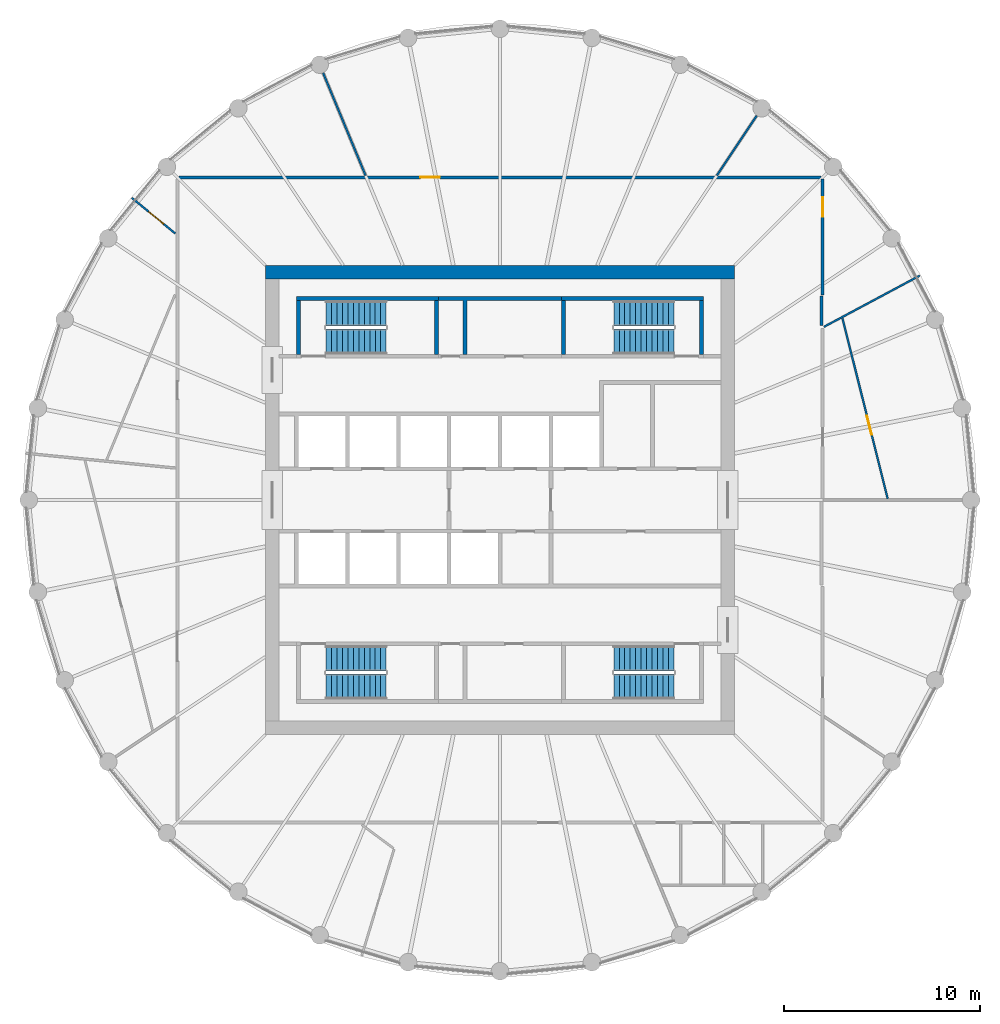
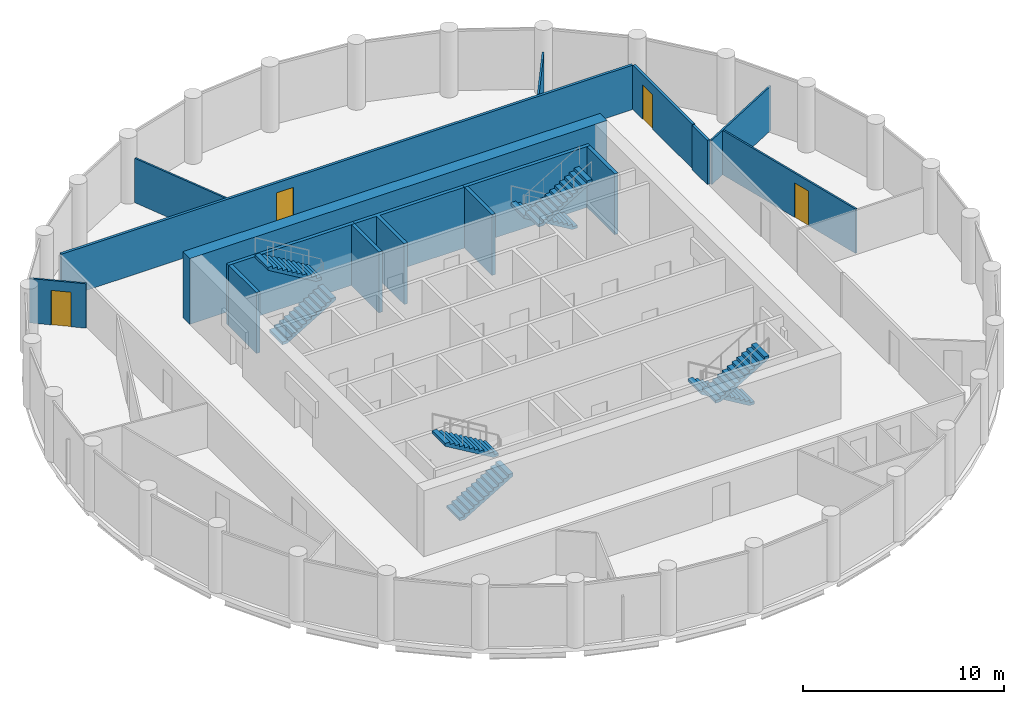
# One storey, part 6 of 7: 16 walls, 8 stair flights, 4 doors, 4 openings, 4 elements without a shape of their own.
"""IFC4 building model written with IfcOpenShell, lengths in metres."""

from ifc_helpers import new_model, si_unit, direction, frame, frame_2d, origin, place, context, subcontext, project, spatial, polyline, rectangle, outline, extrude, material, layer, layer_set, type_object, element, fill, aggregate, save


model = new_model("IFC4")

# Units and contexts
model_context = context("Model", 3, precision=1e-05, world=origin(), true_north=direction((0.0, 1.0)))
body_context = subcontext(model_context, "Body", "Model", "MODEL_VIEW")
ifc_project = project(units=[si_unit("LENGTHUNIT", "METRE"), si_unit("AREAUNIT", "SQUARE_METRE"), si_unit("VOLUMEUNIT", "CUBIC_METRE"), si_unit("PLANEANGLEUNIT", "RADIAN"), si_unit("MASSUNIT", "GRAM", prefix="KILO")], contexts=[model_context])

# Site, building, storey
site_placement = place(None, origin())
site = spatial("IfcSite", under=ifc_project, at=site_placement, CompositionType="ELEMENT")
building_placement = place(site_placement, origin())
building = spatial("IfcBuilding", under=site, at=building_placement, Name="Corvane Civic Tower", CompositionType="ELEMENT")
storey_placement = place(building_placement, frame((0.0, 0.0, 271.0)))
storey = spatial("IfcBuildingStorey", under=building, at=storey_placement, Name="L64", CompositionType="ELEMENT", Elevation=271.0)

# Walls
ifc_material_1 = material(Name="Concrete C40/50", Category="concrete")
ifc_layer_1 = layer(ifc_material_1, 0.699951171875)
ifc_layer_set_1 = layer_set([ifc_layer_1], Name="Concrete C40/50")
wall_type_1 = type_object("IfcWallType", Name="CORE WALL 700 C40/50", PredefinedType="SHEAR", material=ifc_layer_set_1)
wall_1_placement = place(storey_placement, frame((-12.0, 11.64990234375, 0.0), z_axis=(0.0, 0.0, 1.0), x_axis=(1.0, 0.0, 0.0)))
element("IfcWall", 1, at=wall_1_placement, inside=storey, type_object=wall_type_1, Name="W-L64-core-N", PredefinedType="SHEAR", context=body_context, shape_type="SweptSolid", body=[
    extrude(rectangle(XDim=24.0, YDim=0.699951171875, at=frame_2d((12.0, 0.0))), origin(), (0.0, 0.0, 1.0), 4.0),
])
ifc_material_2 = material(Name="Concrete C30/37", Category="concrete")
ifc_layer_2 = layer(ifc_material_2, 0.199951171875)
ifc_layer_set_2 = layer_set([ifc_layer_2], Name="Concrete C30/37")
wall_type_2 = type_object("IfcWallType", Name="CR-WALL-200", PredefinedType="PARTITIONING", material=ifc_layer_set_2)
wall_2_placement = place(storey_placement, origin())
element("IfcWall", 2, at=wall_2_placement, inside=storey, type_object=wall_type_2, Name="L64 core partition wall", PredefinedType="PARTITIONING", context=body_context, shape_type="SweptSolid", body=[
    extrude(outline(polyline([(3.14990234375, 10.39990234375), (3.14990234375, 10.199951171875), (-1.699951171875, 10.199951171875), (-1.699951171875, 7.449951171875), (-1.89990234375, 7.449951171875), (-1.89990234375, 10.199951171875), (-3.14990234375, 10.199951171875), (-3.14990234375, 10.39990234375), (3.14990234375, 10.39990234375)])), origin(), (0.0, 0.0, 1.0), 3.699951171875),
])

# Wall, opening, door
ifc_material_3 = material(Name="Plasterboard")
ifc_layer_3 = layer(ifc_material_3, 0.10009765625)
ifc_layer_set_3 = layer_set([ifc_layer_3], Name="Plasterboard")
wall_type_3 = type_object("IfcWallType", Name="Partition 100 plasterboard on studs", PredefinedType="PARTITIONING", material=ifc_layer_set_3)
wall_3_placement = place(storey_placement, frame((17.51708984375, 9.29248046875, 0.0), z_axis=(0.0, 0.0, 1.0), x_axis=(0.242970257717, -0.970033738519, 0.0)))
wall_3 = element("IfcWall", 3, at=wall_3_placement, inside=storey, type_object=wall_type_3, Name="Partition L64.016", PredefinedType="PARTITIONING", context=body_context, shape_type="SweptSolid", body=[
    extrude(rectangle(XDim=9.515625, YDim=0.10009765625, at=frame_2d((4.7578125, 0.0))), origin(), (0.0, 0.0, 1.0), 2.699951171875),
])
opening_1_placement = place(wall_3_placement, frame((5.142578125, 0.0, 0.0)))
opening_1 = element("IfcOpeningElement", 4, at=opening_1_placement, cuts=wall_3, Name="Opening L64.008", PredefinedType="OPENING", context=body_context, shape_type="SweptSolid", body=[
    extrude(rectangle(XDim=1.0, YDim=2.10009765625, at=frame_2d((0.5, 1.050048828125))), frame((0.0, 0.06005859375, 0.0), z_axis=(0.0, -1.0, 0.0), x_axis=(1.0, 0.0, 0.0)), (0.0, 0.0, 1.0), 0.1201171875),
])
ifc_material_4 = material(Name="Timber", Category="wood")
door_type_1 = type_object("IfcDoorType", Name="Single door 1000", OperationType="NOTDEFINED", PredefinedType="DOOR", material=ifc_material_4)
door_1_placement = place(opening_1_placement, origin())
door_1 = element("IfcDoor", 5, at=door_1_placement, inside=storey, type_object=door_type_1, Name="Door L64.008", OperationType="SINGLE_SWING_LEFT", OverallHeight=2.10009765625, OverallWidth=1.0, PredefinedType="DOOR", context=body_context, shape_type="SweptSolid", body=[
    extrude(rectangle(XDim=1.0, YDim=2.10009765625, at=frame_2d((0.5, 1.050048828125))), frame((0.0, 0.02490234375, 0.0), z_axis=(0.0, -1.0, 0.0), x_axis=(1.0, 0.0, 0.0)), (0.0, 0.0, 1.0), 0.050048828125),
])
fill(opening_1, door_1)

# Wall
wall_4_placement = place(storey_placement, frame((16.563720703125, 8.853515625, 0.0), z_axis=(0.0, 0.0, 1.0), x_axis=(0.88193512519, 0.471370804098, 0.0)))
element("IfcWall", 6, at=wall_4_placement, inside=storey, type_object=wall_type_3, Name="Partition L64.020", PredefinedType="PARTITIONING", context=body_context, shape_type="SweptSolid", body=[
    extrude(rectangle(XDim=5.56884765625, YDim=0.10009765625, at=frame_2d((2.784423828125, 0.0))), origin(), (0.0, 0.0, 1.0), 2.699951171875),
])

# Wall, opening, door
wall_5_placement = place(storey_placement, frame((-18.822998046875, 15.447509765625, 0.0), z_axis=(0.0, 0.0, 1.0), x_axis=(0.773057309147, -0.634336185926, 0.0)))
wall_5 = element("IfcWall", 7, at=wall_5_placement, inside=storey, type_object=wall_type_3, Name="Partition L64.023", PredefinedType="PARTITIONING", context=body_context, shape_type="SweptSolid", body=[
    extrude(rectangle(XDim=2.866943359375, YDim=0.10009765625, at=frame_2d((1.43359375, 0.0))), origin(), (0.0, 0.0, 1.0), 2.699951171875),
])
opening_2_placement = place(wall_5_placement, frame((1.102783203125, 0.0, 0.0)))
opening_2 = element("IfcOpeningElement", 8, at=opening_2_placement, cuts=wall_5, Name="Opening L64.004", PredefinedType="OPENING", context=body_context, shape_type="SweptSolid", body=[
    extrude(rectangle(XDim=1.0, YDim=2.10009765625, at=frame_2d((0.5, 1.050048828125))), frame((0.0, 0.06005859375, 0.0), z_axis=(0.0, -1.0, 0.0), x_axis=(1.0, 0.0, 0.0)), (0.0, 0.0, 1.0), 0.1201171875),
])
door_2_placement = place(opening_2_placement, origin())
door_2 = element("IfcDoor", 9, at=door_2_placement, inside=storey, type_object=door_type_1, Name="Door L64.004", OperationType="SINGLE_SWING_LEFT", OverallHeight=2.10009765625, OverallWidth=1.0, PredefinedType="DOOR", context=body_context, shape_type="SweptSolid", body=[
    extrude(rectangle(XDim=1.0, YDim=2.10009765625, at=frame_2d((0.5, 1.050048828125))), frame((0.0, 0.02490234375, 0.0), z_axis=(0.0, -1.0, 0.0), x_axis=(1.0, 0.0, 0.0)), (0.0, 0.0, 1.0), 0.050048828125),
])
fill(opening_2, door_2)

# Walls
wall_6_placement = place(storey_placement, frame((-9.046630859375, 21.84033203125, 0.0), z_axis=(0.0, 0.0, 1.0), x_axis=(0.382682139097, -0.9238800682, 0.0)))
element("IfcWall", 10, at=wall_6_placement, inside=storey, type_object=wall_type_3, Name="Partition L64.025", PredefinedType="PARTITIONING", context=body_context, shape_type="SweptSolid", body=[
    extrude(rectangle(XDim=5.6787109375, YDim=0.10009765625, at=frame_2d((2.83935546875, 0.0))), origin(), (0.0, 0.0, 1.0), 2.699951171875),
])
wall_7_placement = place(storey_placement, frame((11.093505859375, 16.602783203125, 0.0), z_axis=(0.0, 0.0, 1.0), x_axis=(0.555559107402, 0.831477046095, 0.0)))
element("IfcWall", 11, at=wall_7_placement, inside=storey, type_object=wall_type_3, Name="Partition L64.026", PredefinedType="PARTITIONING", context=body_context, shape_type="SweptSolid", body=[
    extrude(rectangle(XDim=3.672119140625, YDim=0.10009765625, at=frame_2d((1.8359375, 0.0))), origin(), (0.0, 0.0, 1.0), 2.699951171875),
])
ifc_material_5 = material(Name="Concrete C50/60", Category="concrete")
ifc_layer_4 = layer(ifc_material_5, 0.199951171875)
ifc_layer_set_4 = layer_set([ifc_layer_4], Name="Concrete C50/60")
wall_type_4 = type_object("IfcWallType", Name="ST-WALL-200", PredefinedType="SHEAR", material=ifc_layer_set_4)
wall_8_placement = place(storey_placement, origin())
element("IfcWall", 12, at=wall_8_placement, inside=storey, type_object=wall_type_4, Name="L64 stair enclosure wall", PredefinedType="SHEAR", context=body_context, shape_type="SweptSolid", body=[
    extrude(outline(polyline([(-3.14990234375, 10.199951171875), (-10.39990234375, 10.199951171875), (-10.39990234375, 10.39990234375), (-3.14990234375, 10.39990234375), (-3.14990234375, 10.199951171875)])), origin(), (0.0, 0.0, 1.0), 3.699951171875),
])
wall_9_placement = place(storey_placement, origin())
element("IfcWall", 13, at=wall_9_placement, inside=storey, type_object=wall_type_4, Name="L64 stair enclosure wall", PredefinedType="SHEAR", context=body_context, shape_type="SweptSolid", body=[
    extrude(outline(polyline([(10.39990234375, 10.199951171875), (3.14990234375, 10.199951171875), (3.14990234375, 10.39990234375), (10.39990234375, 10.39990234375), (10.39990234375, 10.199951171875)])), origin(), (0.0, 0.0, 1.0), 3.699951171875),
])
wall_10_placement = place(storey_placement, origin())
element("IfcWall", 14, at=wall_10_placement, inside=storey, type_object=wall_type_4, Name="L64 stair enclosure wall", PredefinedType="SHEAR", context=body_context, shape_type="SweptSolid", body=[
    extrude(outline(polyline([(-3.14990234375, 7.449951171875), (-3.35009765625, 7.449951171875), (-3.35009765625, 10.199951171875), (-3.14990234375, 10.199951171875), (-3.14990234375, 7.449951171875)])), origin(), (0.0, 0.0, 1.0), 3.699951171875),
])
wall_11_placement = place(storey_placement, origin())
element("IfcWall", 15, at=wall_11_placement, inside=storey, type_object=wall_type_4, Name="L64 stair enclosure wall", PredefinedType="SHEAR", context=body_context, shape_type="SweptSolid", body=[
    extrude(outline(polyline([(3.35009765625, 7.449951171875), (3.14990234375, 7.449951171875), (3.14990234375, 10.199951171875), (3.35009765625, 10.199951171875), (3.35009765625, 7.449951171875)])), origin(), (0.0, 0.0, 1.0), 3.699951171875),
])
wall_12_placement = place(storey_placement, origin())
element("IfcWall", 16, at=wall_12_placement, inside=storey, type_object=wall_type_4, Name="L64 stair enclosure wall", PredefinedType="SHEAR", context=body_context, shape_type="SweptSolid", body=[
    extrude(outline(polyline([(-10.199951171875, 7.449951171875), (-10.39990234375, 7.449951171875), (-10.39990234375, 10.199951171875), (-10.199951171875, 10.199951171875), (-10.199951171875, 7.449951171875)])), origin(), (0.0, 0.0, 1.0), 3.699951171875),
])
wall_13_placement = place(storey_placement, origin())
element("IfcWall", 17, at=wall_13_placement, inside=storey, type_object=wall_type_4, Name="L64 stair enclosure wall", PredefinedType="SHEAR", context=body_context, shape_type="SweptSolid", body=[
    extrude(outline(polyline([(10.39990234375, 7.449951171875), (10.199951171875, 7.449951171875), (10.199951171875, 10.199951171875), (10.39990234375, 10.199951171875), (10.39990234375, 7.449951171875)])), origin(), (0.0, 0.0, 1.0), 3.699951171875),
])
ifc_material_6 = material(Name="Plasterboard")
ifc_layer_5 = layer(ifc_material_6, 0.14990234375)
ifc_layer_set_5 = layer_set([ifc_layer_5], Name="Plasterboard")
wall_type_5 = type_object("IfcWallType", Name="Tenancy wall 150 EI 60", PredefinedType="PARTITIONING", material=ifc_layer_set_5)
wall_14_placement = place(storey_placement, frame((16.449951171875, 8.917724609375, 0.0), z_axis=(0.0, 0.0, 1.0), x_axis=(0.0, 1.0, 0.0)))
element("IfcWall", 18, at=wall_14_placement, inside=storey, type_object=wall_type_5, Name="Partition L64.021", PredefinedType="PARTITIONING", context=body_context, shape_type="SweptSolid", body=[
    extrude(rectangle(XDim=1.51220703125, YDim=0.14990234375, at=frame_2d((0.756103515625, 0.0))), origin(), (0.0, 0.0, 1.0), 2.699951171875),
])

# Wall, opening, door
wall_15_placement = place(storey_placement, frame((16.5, 10.47998046875, 0.0), z_axis=(0.0, 0.0, 1.0), x_axis=(0.0, 1.0, 0.0)))
wall_15 = element("IfcWall", 19, at=wall_15_placement, inside=storey, type_object=wall_type_5, Name="Partition L64.022", PredefinedType="PARTITIONING", context=body_context, shape_type="SweptSolid", body=[
    extrude(rectangle(XDim=5.945068359375, YDim=0.14990234375, at=frame_2d((2.97265625, 0.0))), origin(), (0.0, 0.0, 1.0), 2.699951171875),
])
opening_3_placement = place(wall_15_placement, frame((3.9951171875, 0.0, 0.0)))
opening_3 = element("IfcOpeningElement", 20, at=opening_3_placement, cuts=wall_15, Name="Opening L64.007", PredefinedType="OPENING", context=body_context, shape_type="SweptSolid", body=[
    extrude(rectangle(XDim=1.0, YDim=2.10009765625, at=frame_2d((0.5, 1.050048828125))), frame((0.0, 0.0849609375, 0.0), z_axis=(0.0, -1.0, 0.0), x_axis=(1.0, 0.0, 0.0)), (0.0, 0.0, 1.0), 0.169921875),
])
ifc_material_7 = material(Name="Steel and timber", Category="steel")
door_type_2 = type_object("IfcDoorType", Name="Fire door FD30S 1000", OperationType="NOTDEFINED", PredefinedType="DOOR", material=ifc_material_7)
door_3_placement = place(opening_3_placement, frame((1.0, 0.0, 0.0), z_axis=(0.0, 0.0, 1.0), x_axis=(-1.0, 0.0, 0.0)))
door_3 = element("IfcDoor", 21, at=door_3_placement, inside=storey, type_object=door_type_2, Name="Door L64.007", OperationType="SINGLE_SWING_LEFT", OverallHeight=2.10009765625, OverallWidth=1.0, PredefinedType="DOOR", context=body_context, shape_type="SweptSolid", body=[
    extrude(rectangle(XDim=1.0, YDim=2.10009765625, at=frame_2d((0.5, 1.050048828125))), frame((0.0, 0.02490234375, 0.0), z_axis=(0.0, -1.0, 0.0), x_axis=(1.0, 0.0, 0.0)), (0.0, 0.0, 1.0), 0.050048828125),
])
fill(opening_3, door_3)

wall_16_placement = place(storey_placement, frame((-16.425048828125, 16.5, 0.0), z_axis=(0.0, 0.0, 1.0), x_axis=(1.0, 0.0, 0.0)))
wall_16 = element("IfcWall", 22, at=wall_16_placement, inside=storey, type_object=wall_type_5, Name="Partition L64.024", PredefinedType="PARTITIONING", context=body_context, shape_type="SweptSolid", body=[
    extrude(rectangle(XDim=32.85009765625, YDim=0.14990234375, at=frame_2d((16.425048828125, 0.0))), origin(), (0.0, 0.0, 1.0), 2.699951171875),
])
opening_4_placement = place(wall_16_placement, frame((12.3544921875, 0.0, 0.0)))
opening_4 = element("IfcOpeningElement", 23, at=opening_4_placement, cuts=wall_16, Name="Opening L64.006", PredefinedType="OPENING", context=body_context, shape_type="SweptSolid", body=[
    extrude(rectangle(XDim=1.0, YDim=2.10009765625, at=frame_2d((0.5, 1.050048828125))), frame((0.0, 0.0849609375, 0.0), z_axis=(0.0, -1.0, 0.0), x_axis=(1.0, 0.0, 0.0)), (0.0, 0.0, 1.0), 0.169921875),
])
door_4_placement = place(opening_4_placement, origin())
door_4 = element("IfcDoor", 24, at=door_4_placement, inside=storey, type_object=door_type_2, Name="Door L64.006", OperationType="SINGLE_SWING_RIGHT", OverallHeight=2.10009765625, OverallWidth=1.0, PredefinedType="DOOR", context=body_context, shape_type="SweptSolid", body=[
    extrude(rectangle(XDim=1.0, YDim=2.10009765625, at=frame_2d((0.5, 1.050048828125))), frame((0.0, 0.02490234375, 0.0), z_axis=(0.0, -1.0, 0.0), x_axis=(1.0, 0.0, 0.0)), (0.0, 0.0, 1.0), 0.050048828125),
])
fill(opening_4, door_4)

# Stair, stair flights
ifc_material_8 = material(Name="Concrete C40/50", Category="concrete")
stair_type = type_object("IfcStairType", Name="ST-STAIR-HALFTURN", PredefinedType="HALF_TURN_STAIR", material=ifc_material_8)
stair_1_placement = place(storey_placement, origin())
stair_1 = element("IfcStair", 25, at=stair_1_placement, inside=storey, type_object=stair_type, Name="L64 Exit stair ST1", PredefinedType="HALF_TURN_STAIR")
ifc_material_9 = material(Name="Concrete C40/50", Category="concrete")
stair_flight_type = type_object("IfcStairFlightType", Name="ST-FLIGHT-RC", PredefinedType="STRAIGHT", material=ifc_material_9)
stair_flight_1_placement = place(storey_placement, frame((8.89990234375, 9.550048828125, 0.0), z_axis=(0.0, 0.0, 1.0), x_axis=(-1.0, 0.0, 0.0)))
stair_flight_1 = element("IfcStairFlight", 26, at=stair_flight_1_placement, type_object=stair_flight_type, Name="ST1 flight 1", NumberOfRisers=12, NumberOfTreads=11, PredefinedType="STRAIGHT", RiserHeight=0.166666667, TreadLength=0.28, context=body_context, shape_type="SweptSolid", body=[
    extrude(outline(polyline([(0.0, 0.0), (0.0, 0.166748046875), (0.280029296875, 0.166748046875), (0.280029296875, 0.333251953125), (0.56005859375, 0.333251953125), (0.56005859375, 0.5), (0.840087890625, 0.5), (0.840087890625, 0.666748046875), (1.1201171875, 0.666748046875), (1.1201171875, 0.833251953125), (1.39990234375, 0.833251953125), (1.39990234375, 1.0), (1.679931640625, 1.0), (1.679931640625, 1.166748046875), (1.9599609375, 1.166748046875), (1.9599609375, 1.333251953125), (2.239990234375, 1.333251953125), (2.239990234375, 1.5), (2.52001953125, 1.5), (2.52001953125, 1.666748046875), (2.800048828125, 1.666748046875), (2.800048828125, 1.833251953125), (3.080078125, 1.833251953125), (3.080078125, 2.0), (3.080078125, 1.658935546875), (0.29296875, 0.0), (0.0, 0.0)])), frame((0.0, 0.64990234375, 0.0), z_axis=(0.0, -1.0, 0.0), x_axis=(1.0, 0.0, 0.0)), (0.0, 0.0, 1.0), 1.300048828125),
])
stair_flight_2_placement = place(storey_placement, frame((5.820068359375, 8.10009765625, 2.0), z_axis=(0.0, 0.0, 1.0), x_axis=(1.0, 0.0, 0.0)))
stair_flight_2 = element("IfcStairFlight", 27, at=stair_flight_2_placement, type_object=stair_flight_type, Name="ST1 flight 2", NumberOfRisers=12, NumberOfTreads=11, PredefinedType="STRAIGHT", RiserHeight=0.166666667, TreadLength=0.28, context=body_context, shape_type="SweptSolid", body=[
    extrude(outline(polyline([(0.0, 0.0), (0.0, 0.166748046875), (0.280029296875, 0.166748046875), (0.280029296875, 0.333251953125), (0.56005859375, 0.333251953125), (0.56005859375, 0.5), (0.840087890625, 0.5), (0.840087890625, 0.666748046875), (1.1201171875, 0.666748046875), (1.1201171875, 0.833251953125), (1.39990234375, 0.833251953125), (1.39990234375, 1.0), (1.679931640625, 1.0), (1.679931640625, 1.166748046875), (1.9599609375, 1.166748046875), (1.9599609375, 1.333251953125), (2.239990234375, 1.333251953125), (2.239990234375, 1.5), (2.52001953125, 1.5), (2.52001953125, 1.666748046875), (2.800048828125, 1.666748046875), (2.800048828125, 1.833251953125), (3.080078125, 1.833251953125), (3.080078125, 2.0), (3.080078125, 1.658935546875), (0.29296875, 0.0), (0.0, 0.0)])), frame((0.0, 0.64990234375, 0.0), z_axis=(0.0, -1.0, 0.0), x_axis=(1.0, 0.0, 0.0)), (0.0, 0.0, 1.0), 1.300048828125),
])
aggregate(stair_1, [stair_flight_1, stair_flight_2])

stair_2_placement = place(storey_placement, origin())
stair_2 = element("IfcStair", 28, at=stair_2_placement, inside=storey, type_object=stair_type, Name="L64 Exit stair ST2", PredefinedType="HALF_TURN_STAIR")
stair_flight_3_placement = place(storey_placement, frame((8.89990234375, -8.10009765625, 0.0), z_axis=(0.0, 0.0, 1.0), x_axis=(-1.0, 0.0, 0.0)))
stair_flight_3 = element("IfcStairFlight", 29, at=stair_flight_3_placement, type_object=stair_flight_type, Name="ST2 flight 1", NumberOfRisers=12, NumberOfTreads=11, PredefinedType="STRAIGHT", RiserHeight=0.166666667, TreadLength=0.28, context=body_context, shape_type="SweptSolid", body=[
    extrude(outline(polyline([(0.0, 0.0), (0.0, 0.166748046875), (0.280029296875, 0.166748046875), (0.280029296875, 0.333251953125), (0.56005859375, 0.333251953125), (0.56005859375, 0.5), (0.840087890625, 0.5), (0.840087890625, 0.666748046875), (1.1201171875, 0.666748046875), (1.1201171875, 0.833251953125), (1.39990234375, 0.833251953125), (1.39990234375, 1.0), (1.679931640625, 1.0), (1.679931640625, 1.166748046875), (1.9599609375, 1.166748046875), (1.9599609375, 1.333251953125), (2.239990234375, 1.333251953125), (2.239990234375, 1.5), (2.52001953125, 1.5), (2.52001953125, 1.666748046875), (2.800048828125, 1.666748046875), (2.800048828125, 1.833251953125), (3.080078125, 1.833251953125), (3.080078125, 2.0), (3.080078125, 1.658935546875), (0.29296875, 0.0), (0.0, 0.0)])), frame((0.0, 0.64990234375, 0.0), z_axis=(0.0, -1.0, 0.0), x_axis=(1.0, 0.0, 0.0)), (0.0, 0.0, 1.0), 1.300048828125),
])
stair_flight_4_placement = place(storey_placement, frame((5.820068359375, -9.550048828125, 2.0), z_axis=(0.0, 0.0, 1.0), x_axis=(1.0, 0.0, 0.0)))
stair_flight_4 = element("IfcStairFlight", 30, at=stair_flight_4_placement, type_object=stair_flight_type, Name="ST2 flight 2", NumberOfRisers=12, NumberOfTreads=11, PredefinedType="STRAIGHT", RiserHeight=0.166666667, TreadLength=0.28, context=body_context, shape_type="SweptSolid", body=[
    extrude(outline(polyline([(0.0, 0.0), (0.0, 0.166748046875), (0.280029296875, 0.166748046875), (0.280029296875, 0.333251953125), (0.56005859375, 0.333251953125), (0.56005859375, 0.5), (0.840087890625, 0.5), (0.840087890625, 0.666748046875), (1.1201171875, 0.666748046875), (1.1201171875, 0.833251953125), (1.39990234375, 0.833251953125), (1.39990234375, 1.0), (1.679931640625, 1.0), (1.679931640625, 1.166748046875), (1.9599609375, 1.166748046875), (1.9599609375, 1.333251953125), (2.239990234375, 1.333251953125), (2.239990234375, 1.5), (2.52001953125, 1.5), (2.52001953125, 1.666748046875), (2.800048828125, 1.666748046875), (2.800048828125, 1.833251953125), (3.080078125, 1.833251953125), (3.080078125, 2.0), (3.080078125, 1.658935546875), (0.29296875, 0.0), (0.0, 0.0)])), frame((0.0, 0.64990234375, 0.0), z_axis=(0.0, -1.0, 0.0), x_axis=(1.0, 0.0, 0.0)), (0.0, 0.0, 1.0), 1.300048828125),
])
aggregate(stair_2, [stair_flight_3, stair_flight_4])

stair_3_placement = place(storey_placement, origin())
stair_3 = element("IfcStair", 31, at=stair_3_placement, inside=storey, type_object=stair_type, Name="L64 Exit stair ST3", PredefinedType="HALF_TURN_STAIR")
stair_flight_5_placement = place(storey_placement, frame((-8.89990234375, -9.550048828125, 0.0), z_axis=(0.0, 0.0, 1.0), x_axis=(1.0, 0.0, 0.0)))
stair_flight_5 = element("IfcStairFlight", 32, at=stair_flight_5_placement, type_object=stair_flight_type, Name="ST3 flight 1", NumberOfRisers=12, NumberOfTreads=11, PredefinedType="STRAIGHT", RiserHeight=0.166666667, TreadLength=0.28, context=body_context, shape_type="SweptSolid", body=[
    extrude(outline(polyline([(0.0, 0.0), (0.0, 0.166748046875), (0.280029296875, 0.166748046875), (0.280029296875, 0.333251953125), (0.56005859375, 0.333251953125), (0.56005859375, 0.5), (0.840087890625, 0.5), (0.840087890625, 0.666748046875), (1.1201171875, 0.666748046875), (1.1201171875, 0.833251953125), (1.39990234375, 0.833251953125), (1.39990234375, 1.0), (1.679931640625, 1.0), (1.679931640625, 1.166748046875), (1.9599609375, 1.166748046875), (1.9599609375, 1.333251953125), (2.239990234375, 1.333251953125), (2.239990234375, 1.5), (2.52001953125, 1.5), (2.52001953125, 1.666748046875), (2.800048828125, 1.666748046875), (2.800048828125, 1.833251953125), (3.080078125, 1.833251953125), (3.080078125, 2.0), (3.080078125, 1.658935546875), (0.29296875, 0.0), (0.0, 0.0)])), frame((0.0, 0.64990234375, 0.0), z_axis=(0.0, -1.0, 0.0), x_axis=(1.0, 0.0, 0.0)), (0.0, 0.0, 1.0), 1.300048828125),
])
stair_flight_6_placement = place(storey_placement, frame((-5.820068359375, -8.10009765625, 2.0), z_axis=(0.0, 0.0, 1.0), x_axis=(-1.0, 0.0, 0.0)))
stair_flight_6 = element("IfcStairFlight", 33, at=stair_flight_6_placement, type_object=stair_flight_type, Name="ST3 flight 2", NumberOfRisers=12, NumberOfTreads=11, PredefinedType="STRAIGHT", RiserHeight=0.166666667, TreadLength=0.28, context=body_context, shape_type="SweptSolid", body=[
    extrude(outline(polyline([(0.0, 0.0), (0.0, 0.166748046875), (0.280029296875, 0.166748046875), (0.280029296875, 0.333251953125), (0.56005859375, 0.333251953125), (0.56005859375, 0.5), (0.840087890625, 0.5), (0.840087890625, 0.666748046875), (1.1201171875, 0.666748046875), (1.1201171875, 0.833251953125), (1.39990234375, 0.833251953125), (1.39990234375, 1.0), (1.679931640625, 1.0), (1.679931640625, 1.166748046875), (1.9599609375, 1.166748046875), (1.9599609375, 1.333251953125), (2.239990234375, 1.333251953125), (2.239990234375, 1.5), (2.52001953125, 1.5), (2.52001953125, 1.666748046875), (2.800048828125, 1.666748046875), (2.800048828125, 1.833251953125), (3.080078125, 1.833251953125), (3.080078125, 2.0), (3.080078125, 1.658935546875), (0.29296875, 0.0), (0.0, 0.0)])), frame((0.0, 0.64990234375, 0.0), z_axis=(0.0, -1.0, 0.0), x_axis=(1.0, 0.0, 0.0)), (0.0, 0.0, 1.0), 1.300048828125),
])
aggregate(stair_3, [stair_flight_5, stair_flight_6])

stair_4_placement = place(storey_placement, origin())
stair_4 = element("IfcStair", 34, at=stair_4_placement, inside=storey, type_object=stair_type, Name="L64 Exit stair ST4", PredefinedType="HALF_TURN_STAIR")
stair_flight_7_placement = place(storey_placement, frame((-8.89990234375, 8.10009765625, 0.0), z_axis=(0.0, 0.0, 1.0), x_axis=(1.0, 0.0, 0.0)))
stair_flight_7 = element("IfcStairFlight", 35, at=stair_flight_7_placement, type_object=stair_flight_type, Name="ST4 flight 1", NumberOfRisers=12, NumberOfTreads=11, PredefinedType="STRAIGHT", RiserHeight=0.166666667, TreadLength=0.28, context=body_context, shape_type="SweptSolid", body=[
    extrude(outline(polyline([(0.0, 0.0), (0.0, 0.166748046875), (0.280029296875, 0.166748046875), (0.280029296875, 0.333251953125), (0.56005859375, 0.333251953125), (0.56005859375, 0.5), (0.840087890625, 0.5), (0.840087890625, 0.666748046875), (1.1201171875, 0.666748046875), (1.1201171875, 0.833251953125), (1.39990234375, 0.833251953125), (1.39990234375, 1.0), (1.679931640625, 1.0), (1.679931640625, 1.166748046875), (1.9599609375, 1.166748046875), (1.9599609375, 1.333251953125), (2.239990234375, 1.333251953125), (2.239990234375, 1.5), (2.52001953125, 1.5), (2.52001953125, 1.666748046875), (2.800048828125, 1.666748046875), (2.800048828125, 1.833251953125), (3.080078125, 1.833251953125), (3.080078125, 2.0), (3.080078125, 1.658935546875), (0.29296875, 0.0), (0.0, 0.0)])), frame((0.0, 0.64990234375, 0.0), z_axis=(0.0, -1.0, 0.0), x_axis=(1.0, 0.0, 0.0)), (0.0, 0.0, 1.0), 1.300048828125),
])
stair_flight_8_placement = place(storey_placement, frame((-5.820068359375, 9.550048828125, 2.0), z_axis=(0.0, 0.0, 1.0), x_axis=(-1.0, 0.0, 0.0)))
stair_flight_8 = element("IfcStairFlight", 36, at=stair_flight_8_placement, type_object=stair_flight_type, Name="ST4 flight 2", NumberOfRisers=12, NumberOfTreads=11, PredefinedType="STRAIGHT", RiserHeight=0.166666667, TreadLength=0.28, context=body_context, shape_type="SweptSolid", body=[
    extrude(outline(polyline([(0.0, 0.0), (0.0, 0.166748046875), (0.280029296875, 0.166748046875), (0.280029296875, 0.333251953125), (0.56005859375, 0.333251953125), (0.56005859375, 0.5), (0.840087890625, 0.5), (0.840087890625, 0.666748046875), (1.1201171875, 0.666748046875), (1.1201171875, 0.833251953125), (1.39990234375, 0.833251953125), (1.39990234375, 1.0), (1.679931640625, 1.0), (1.679931640625, 1.166748046875), (1.9599609375, 1.166748046875), (1.9599609375, 1.333251953125), (2.239990234375, 1.333251953125), (2.239990234375, 1.5), (2.52001953125, 1.5), (2.52001953125, 1.666748046875), (2.800048828125, 1.666748046875), (2.800048828125, 1.833251953125), (3.080078125, 1.833251953125), (3.080078125, 2.0), (3.080078125, 1.658935546875), (0.29296875, 0.0), (0.0, 0.0)])), frame((0.0, 0.64990234375, 0.0), z_axis=(0.0, -1.0, 0.0), x_axis=(1.0, 0.0, 0.0)), (0.0, 0.0, 1.0), 1.300048828125),
])
aggregate(stair_4, [stair_flight_7, stair_flight_8])

save(model, "model.ifc")
